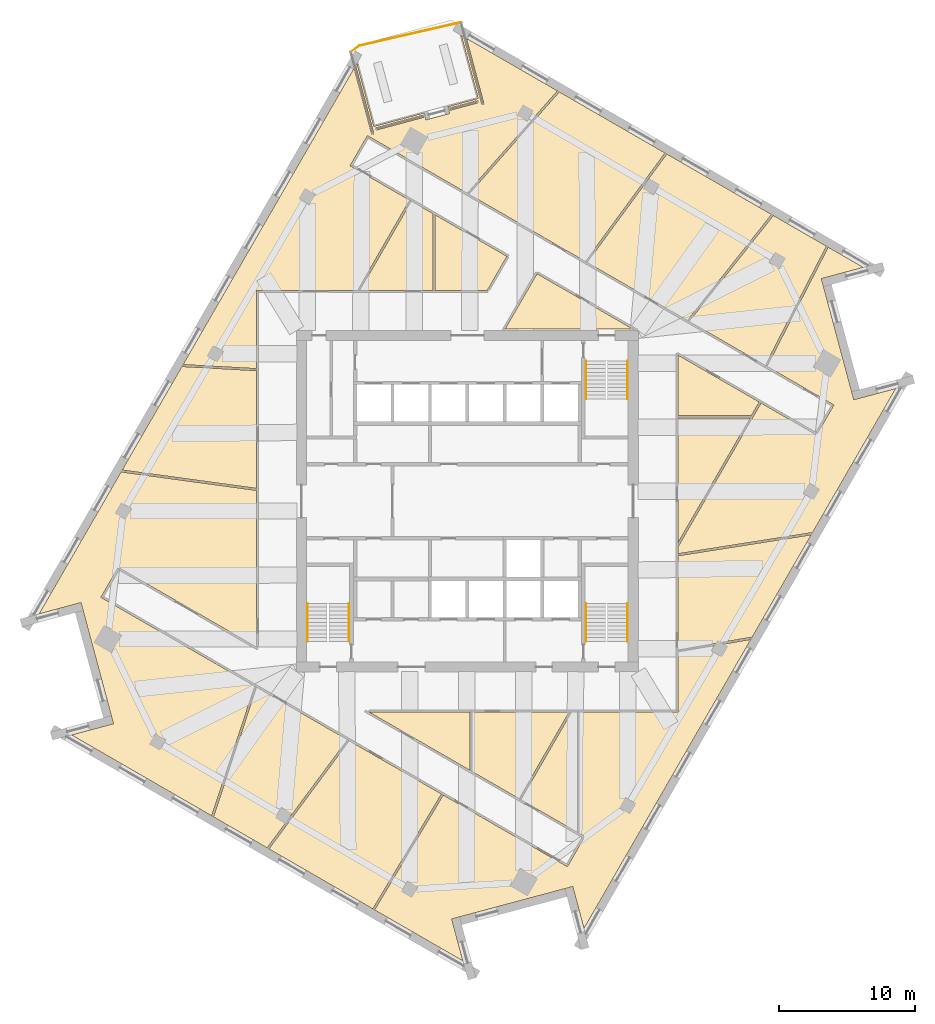
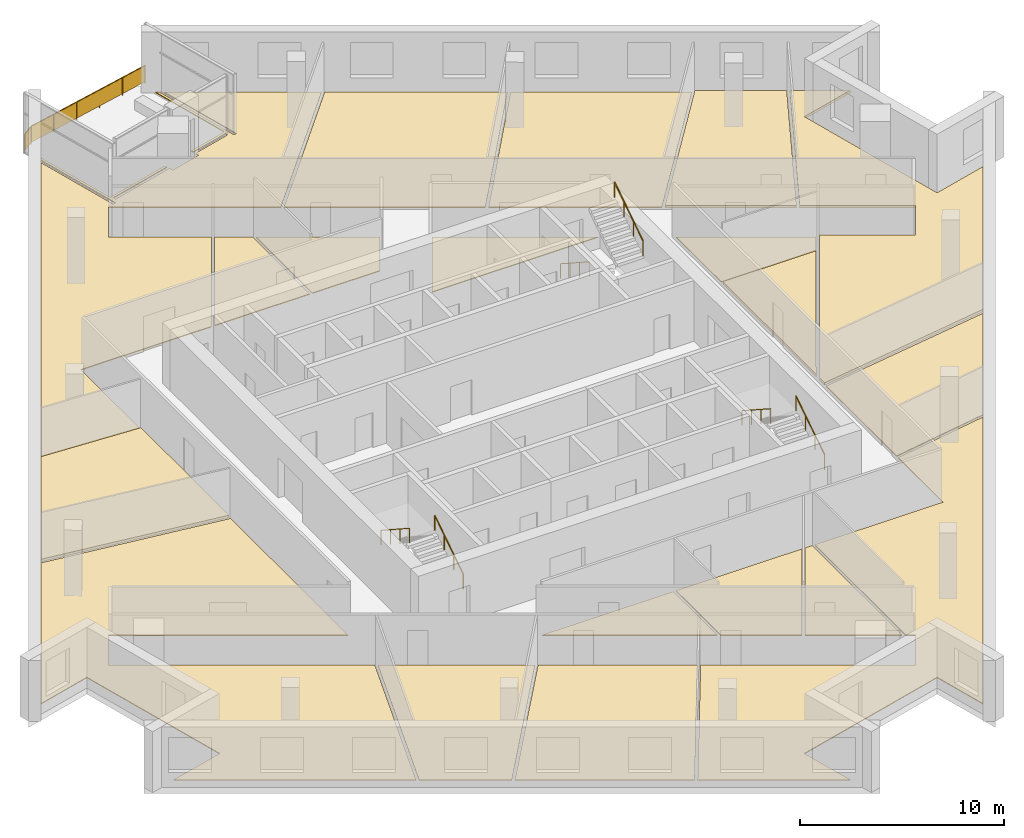
# One storey, part 12 of 13: 19 coverings, 7 railings.
"""IFC4 building model written with IfcOpenShell, lengths in metres."""

from ifc_helpers import new_model, si_unit, direction, frame, origin, origin_2d, place, context, subcontext, project, spatial, polyline, rectangle, circle, outline, extrude, material, layer, layer_set, type_object, element, save


model = new_model("IFC4")

# Units and contexts
model_context = context("Model", 3, precision=1e-05, world=origin(), true_north=direction((0.0, 1.0)))
body_context = subcontext(model_context, "Body", "Model", "MODEL_VIEW")
ifc_project = project(units=[si_unit("LENGTHUNIT", "METRE"), si_unit("AREAUNIT", "SQUARE_METRE"), si_unit("VOLUMEUNIT", "CUBIC_METRE"), si_unit("PLANEANGLEUNIT", "RADIAN"), si_unit("MASSUNIT", "GRAM", prefix="KILO")], contexts=[model_context])

# Site, building, storey
site_placement = place(None, origin())
site = spatial("IfcSite", under=ifc_project, at=site_placement, CompositionType="ELEMENT")
building_placement = place(site_placement, origin())
building = spatial("IfcBuilding", under=site, at=building_placement, Name="Dilmun Exchange Tower", CompositionType="ELEMENT")
storey_placement = place(building_placement, frame((0.0, 0.0, 270.89990234375)))
storey = spatial("IfcBuildingStorey", under=building, at=storey_placement, Name="L64", CompositionType="ELEMENT", Elevation=270.89990234375)

# Coverings
ifc_material_1 = material(Name="Carpet floor finish 50")
ifc_layer_1 = layer(ifc_material_1, 0.050048828125)
ifc_layer_set_1 = layer_set([ifc_layer_1], Name="Carpet floor finish 50")
covering_type_1 = type_object("IfcCoveringType", Name="Carpet floor finish 50", PredefinedType="FLOORING", material=ifc_layer_set_1)
covering_1_placement = place(storey_placement, origin())
element("IfcCovering", 1, at=covering_1_placement, inside=storey, type_object=covering_type_1, Name="Carpet floor finish 50 Supervision hall", PredefinedType="FLOORING", context=body_context, shape_type="SweptSolid", body=[
    extrude(outline(polyline([(-15.47509765625, 0.7880859375), (-15.47509765625, -10.720703125), (-25.63671875, -4.853759765625), (-26.91162109375, -7.062255859375), (-15.615234375, -13.583984375), (-18.777587890625, -23.1044921875), (-29.066162109375, -17.16455078125), (-25.992431640625, -16.3408203125), (-25.9921875, -16.3408203125), (-25.9921875, -16.3408203125), (-25.991943359375, -16.3408203125), (-25.99169921875, -16.340576171875), (-25.99169921875, -16.34033203125), (-25.991455078125, -16.34033203125), (-25.9912109375, -16.340087890625), (-25.9912109375, -16.340087890625), (-25.9912109375, -16.33984375), (-25.9912109375, -16.339599609375), (-25.990966796875, -16.33935546875), (-25.990966796875, -16.339111328125), (-25.990966796875, -16.339111328125), (-25.990966796875, -16.3388671875), (-25.990966796875, -16.338623046875), (-25.990966796875, -16.33837890625), (-26.146240234375, -15.7587890625), (-28.216796875, -8.031982421875), (-28.216796875, -8.031982421875), (-28.216796875, -8.03173828125), (-28.216796875, -8.03173828125), (-28.216796875, -8.031494140625), (-28.3720703125, -7.451904296875), (-28.372314453125, -7.45166015625), (-28.372314453125, -7.451416015625), (-28.372314453125, -7.451416015625), (-28.37255859375, -7.451171875), (-28.37255859375, -7.451171875), (-28.372802734375, -7.450927734375), (-28.372802734375, -7.45068359375), (-28.373046875, -7.45068359375), (-28.373291015625, -7.45068359375), (-28.373291015625, -7.450439453125), (-28.37353515625, -7.450439453125), (-28.373779296875, -7.450439453125), (-28.3740234375, -7.450439453125), (-28.374267578125, -7.450439453125), (-28.37451171875, -7.450439453125), (-28.37451171875, -7.450439453125), (-31.448486328125, -8.274169921875), (-25.431396484375, 2.147216796875), (-15.47509765625, 0.7880859375)])), origin(), (0.0, 0.0, 1.0), 0.050048828125),
])
covering_2_placement = place(storey_placement, origin())
element("IfcCovering", 2, at=covering_2_placement, inside=storey, type_object=covering_type_1, Name="Carpet floor finish 50 Research library 1", PredefinedType="FLOORING", context=body_context, shape_type="SweptSolid", body=[
    extrude(outline(polyline([(-8.67822265625, -17.589111328125), (-1.904052734375, -21.500244140625), (-6.943359375, -29.93701171875), (-14.57421875, -25.531494140625), (-8.67822265625, -17.589111328125)])), origin(), (0.0, 0.0, 1.0), 0.050048828125),
])
covering_3_placement = place(storey_placement, origin())
element("IfcCovering", 3, at=covering_3_placement, inside=storey, type_object=covering_type_1, Name="Carpet floor finish 50 Garden lounge", PredefinedType="FLOORING", context=body_context, shape_type="SweptSolid", body=[
    extrude(outline(polyline([(-0.0283203125, 22.615966796875), (-7.339599609375, 26.837158203125), (-8.61474609375, 24.62890625), (-4.244140625, 22.10546875), (-8.072021484375, 15.47509765625), (-15.47509765625, 15.47509765625), (-15.47509765625, 9.73193359375), (-20.879638671875, 10.031494140625), (-8.32470703125, 31.77734375), (-7.027099609375, 26.935302734375), (-7.027099609375, 26.93505859375), (-7.027099609375, 26.934814453125), (-7.02685546875, 26.9345703125), (-7.02685546875, 26.9345703125), (-7.026611328125, 26.934326171875), (-7.026611328125, 26.93408203125), (-7.0263671875, 26.93408203125), (-7.026123046875, 26.93408203125), (-7.02587890625, 26.933837890625), (-7.02587890625, 26.933837890625), (-7.025634765625, 26.93359375), (-7.025390625, 26.93359375), (-7.025146484375, 26.93359375), (-7.02490234375, 26.93359375), (-7.02490234375, 26.93359375), (-7.024658203125, 26.933837890625), (-6.8701171875, 26.97509765625), (-6.869873046875, 26.97509765625), (-6.86962890625, 26.975341796875), (-6.86962890625, 26.975341796875), (-6.869384765625, 26.9755859375), (-6.869384765625, 26.9755859375), (-6.869140625, 26.975830078125), (-6.868896484375, 26.975830078125), (-6.868896484375, 26.97607421875), (-6.868896484375, 26.976318359375), (-6.86865234375, 26.9765625), (-6.86865234375, 26.976806640625), (-6.86865234375, 26.976806640625), (-6.86865234375, 26.97705078125), (-6.86865234375, 26.977294921875), (-6.86865234375, 26.977294921875), (-6.86865234375, 26.9775390625), (-8.20849609375, 31.978271484375), (-8.107421875, 32.1533203125), (-6.866455078125, 27.521728515625), (-3.184326171875, 28.50830078125), (-3.147216796875, 28.3701171875), (-6.7568359375, 27.403076171875), (-6.757080078125, 27.40283203125), (-6.75732421875, 27.40283203125), (-6.757568359375, 27.40283203125), (-6.757568359375, 27.402587890625), (-6.7578125, 27.402587890625), (-6.7578125, 27.40234375), (-6.758056640625, 27.402099609375), (-6.758056640625, 27.402099609375), (-6.75830078125, 27.40185546875), (-6.75830078125, 27.401611328125), (-6.75830078125, 27.401611328125), (-6.75830078125, 27.4013671875), (-6.75830078125, 27.401123046875), (-6.75830078125, 27.40087890625), (-6.75830078125, 27.400634765625), (-6.75830078125, 27.400634765625), (-6.716796875, 27.24609375), (-6.716796875, 27.245849609375), (-6.716796875, 27.24560546875), (-6.716796875, 27.24560546875), (-6.716552734375, 27.245361328125), (-6.716552734375, 27.2451171875), (-6.71630859375, 27.2451171875), (-6.71630859375, 27.244873046875), (-6.716064453125, 27.244873046875), (-6.7158203125, 27.24462890625), (-6.715576171875, 27.24462890625), (-6.71533203125, 27.24462890625), (-6.71533203125, 27.244384765625), (-6.715087890625, 27.244384765625), (-6.71484375, 27.244384765625), (-6.714599609375, 27.24462890625), (-6.714599609375, 27.24462890625), (-3.104736328125, 28.2119140625), (-3.04833984375, 28.001220703125), (-3.04833984375, 28.0009765625), (-3.048095703125, 28.000732421875), (-3.048095703125, 28.000732421875), (-3.048095703125, 28.00048828125), (-3.0478515625, 28.00048828125), (-3.0478515625, 28.000244140625), (-3.047607421875, 28.0), (-3.047607421875, 28.0), (-3.04736328125, 28.0), (-3.047119140625, 27.999755859375), (-3.046875, 27.999755859375), (-3.046630859375, 27.999755859375), (-3.04638671875, 27.999755859375), (-3.04638671875, 27.999755859375), (-3.046142578125, 27.999755859375), (-3.0458984375, 27.999755859375), (-1.30712890625, 28.4658203125), (-1.306884765625, 28.4658203125), (-1.306884765625, 28.4658203125), (-1.306640625, 28.4658203125), (-1.306396484375, 28.466064453125), (-1.306396484375, 28.46630859375), (-1.30615234375, 28.46630859375), (-1.30615234375, 28.466552734375), (-1.305908203125, 28.466552734375), (-1.305908203125, 28.466796875), (-1.305908203125, 28.467041015625), (-1.305908203125, 28.46728515625), (-1.305908203125, 28.46728515625), (-1.305908203125, 28.467529296875), (-1.305908203125, 28.4677734375), (-1.305908203125, 28.468017578125), (-1.305908203125, 28.468017578125), (-1.3623046875, 28.6787109375), (0.798583984375, 29.2578125), (0.798828125, 29.2578125), (0.799072265625, 29.2578125), (0.79931640625, 29.2578125), (0.79931640625, 29.258056640625), (0.799560546875, 29.25830078125), (0.799560546875, 29.25830078125), (0.7998046875, 29.258544921875), (0.7998046875, 29.258544921875), (0.7998046875, 29.2587890625), (0.800048828125, 29.259033203125), (0.800048828125, 29.25927734375), (0.800048828125, 29.259521484375), (0.800048828125, 29.259521484375), (0.800048828125, 29.259765625), (0.800048828125, 29.260009765625), (0.800048828125, 29.260009765625), (0.758544921875, 29.414794921875), (0.758544921875, 29.414794921875), (0.758544921875, 29.4150390625), (0.75830078125, 29.415283203125), (0.75830078125, 29.415283203125), (0.75830078125, 29.41552734375), (0.758056640625, 29.415771484375), (0.7578125, 29.415771484375), (0.7578125, 29.416015625), (0.757568359375, 29.416015625), (0.75732421875, 29.416015625), (0.757080078125, 29.416015625), (0.757080078125, 29.416259765625), (0.7568359375, 29.416259765625), (0.756591796875, 29.416259765625), (0.75634765625, 29.416015625), (0.756103515625, 29.416015625), (-1.40478515625, 28.837158203125), (-1.441650390625, 28.975341796875), (0.79150390625, 29.57373046875), (-0.449462890625, 34.205322265625), (-0.2744140625, 34.104248046875), (1.065673828125, 29.103515625), (1.065673828125, 29.103515625), (1.065673828125, 29.103271484375), (1.06591796875, 29.10302734375), (1.06591796875, 29.102783203125), (1.066162109375, 29.102783203125), (1.066162109375, 29.1025390625), (1.06640625, 29.1025390625), (1.06640625, 29.102294921875), (1.066650390625, 29.102294921875), (1.06689453125, 29.102294921875), (1.067138671875, 29.10205078125), (1.0673828125, 29.10205078125), (1.0673828125, 29.10205078125), (1.067626953125, 29.10205078125), (1.06787109375, 29.10205078125), (1.068115234375, 29.102294921875), (1.22265625, 29.1435546875), (1.222900390625, 29.1435546875), (1.222900390625, 29.143798828125), (1.22314453125, 29.143798828125), (1.223388671875, 29.143798828125), (1.223388671875, 29.14404296875), (1.2236328125, 29.144287109375), (1.2236328125, 29.144287109375), (1.223876953125, 29.14453125), (1.223876953125, 29.144775390625), (1.22412109375, 29.14501953125), (1.22412109375, 29.14501953125), (1.22412109375, 29.145263671875), (1.22412109375, 29.1455078125), (1.22412109375, 29.1455078125), (1.22412109375, 29.145751953125), (1.22412109375, 29.14599609375), (-0.073486328125, 33.98828125), (6.613525390625, 30.127685546875), (-0.0283203125, 22.615966796875)])), origin(), (0.0, 0.0, 1.0), 0.050048828125),
])
covering_4_placement = place(storey_placement, origin())
element("IfcCovering", 4, at=covering_4_placement, inside=storey, type_object=covering_type_1, Name="Carpet floor finish 50 Meeting room 1", PredefinedType="FLOORING", context=body_context, shape_type="SweptSolid", body=[
    extrude(outline(polyline([(-4.114013671875, 22.030517578125), (-2.516357421875, 21.10791015625), (-2.516357421875, 15.47509765625), (-7.89892578125, 15.47509765625), (-4.114013671875, 22.030517578125)])), origin(), (0.0, 0.0, 1.0), 0.050048828125),
])
covering_5_placement = place(storey_placement, origin())
element("IfcCovering", 5, at=covering_5_placement, inside=storey, type_object=covering_type_1, Name="Carpet floor finish 50 Meeting room 2", PredefinedType="FLOORING", context=body_context, shape_type="SweptSolid", body=[
    extrude(outline(polyline([(0.203125, -15.47509765625), (0.203125, -19.7724609375), (-7.240234375, -15.47509765625), (0.203125, -15.47509765625)])), origin(), (0.0, 0.0, 1.0), 0.050048828125),
])
covering_6_placement = place(storey_placement, origin())
element("IfcCovering", 6, at=covering_6_placement, inside=storey, type_object=covering_type_1, Name="Carpet floor finish 50 Research library 2", PredefinedType="FLOORING", context=body_context, shape_type="SweptSolid", body=[
    extrude(outline(polyline([(-1.77392578125, -21.575439453125), (7.339599609375, -26.837158203125), (8.61474609375, -24.62890625), (8.21044921875, -24.3955078125), (8.21044921875, -15.47509765625), (15.47509765625, -15.47509765625), (15.47509765625, -11.0693359375), (20.81201171875, -10.148681640625), (8.55859375, -31.3720703125), (7.73486328125, -28.29833984375), (7.73486328125, -28.298095703125), (7.73486328125, -28.298095703125), (7.734619140625, -28.2978515625), (7.734619140625, -28.297607421875), (7.734375, -28.297607421875), (7.734375, -28.29736328125), (7.734130859375, -28.29736328125), (7.73388671875, -28.297119140625), (7.73388671875, -28.297119140625), (7.733642578125, -28.297119140625), (7.7333984375, -28.297119140625), (7.733154296875, -28.297119140625), (7.73291015625, -28.297119140625), (7.73291015625, -28.297119140625), (7.732666015625, -28.297119140625), (7.732421875, -28.297119140625), (7.15283203125, -28.452392578125), (-0.574462890625, -30.522705078125), (-0.57470703125, -30.522705078125), (-0.57470703125, -30.52294921875), (-0.57470703125, -30.52294921875), (-1.154052734375, -30.677978515625), (-1.154296875, -30.67822265625), (-1.154296875, -30.67822265625), (-1.154541015625, -30.67822265625), (-1.15478515625, -30.678466796875), (-1.15478515625, -30.6787109375), (-1.155029296875, -30.6787109375), (-1.155029296875, -30.678955078125), (-1.1552734375, -30.678955078125), (-1.1552734375, -30.67919921875), (-1.155517578125, -30.679443359375), (-1.155517578125, -30.6796875), (-1.155517578125, -30.6796875), (-1.155517578125, -30.679931640625), (-1.155517578125, -30.68017578125), (-1.155517578125, -30.680419921875), (-1.155517578125, -30.6806640625), (-0.331787109375, -33.75439453125), (-6.8134765625, -30.01220703125), (-1.77392578125, -21.575439453125)])), origin(), (0.0, 0.0, 1.0), 0.050048828125),
])
covering_7_placement = place(storey_placement, origin())
element("IfcCovering", 7, at=covering_7_placement, inside=storey, type_object=covering_type_1, Name="Carpet floor finish 50 Research library 3", PredefinedType="FLOORING", context=body_context, shape_type="SweptSolid", body=[
    extrude(outline(polyline([(0.104248046875, 22.53955078125), (6.74609375, 30.051025390625), (14.50927734375, 25.569091796875), (8.65966796875, 17.599853515625), (0.104248046875, 22.53955078125)])), origin(), (0.0, 0.0, 1.0), 0.050048828125),
])
covering_8_placement = place(storey_placement, origin())
element("IfcCovering", 8, at=covering_8_placement, inside=storey, type_object=covering_type_1, Name="Carpet floor finish 50 Regulator office", PredefinedType="FLOORING", context=body_context, shape_type="SweptSolid", body=[
    extrude(outline(polyline([(16.15283203125, 13.273681640625), (8.790283203125, 17.5244140625), (14.639892578125, 25.49365234375), (22.335693359375, 21.050537109375), (16.15283203125, 13.273681640625)])), origin(), (0.0, 0.0, 1.0), 0.050048828125),
])
covering_9_placement = place(storey_placement, origin())
element("IfcCovering", 9, at=covering_9_placement, inside=storey, type_object=covering_type_1, Name="Carpet floor finish 50 Training room", PredefinedType="FLOORING", context=body_context, shape_type="SweptSolid", body=[
    extrude(outline(polyline([(15.47509765625, -10.9169921875), (15.47509765625, -4.0087890625), (25.245361328125, -2.469970703125), (20.90966796875, -9.9794921875), (15.47509765625, -10.9169921875)])), origin(), (0.0, 0.0, 1.0), 0.050048828125),
])
ifc_material_2 = material(Name="Raised access floor 150")
ifc_layer_2 = layer(ifc_material_2, 0.14990234375)
ifc_layer_set_2 = layer_set([ifc_layer_2], Name="Raised access floor 150")
covering_type_2 = type_object("IfcCoveringType", Name="Raised access floor 150", PredefinedType="FLOORING", material=ifc_layer_set_2)
covering_10_placement = place(storey_placement, origin())
element("IfcCovering", 10, at=covering_10_placement, inside=storey, type_object=covering_type_2, Name="Raised access floor 150 Analytics room 1", PredefinedType="FLOORING", context=body_context, shape_type="SweptSolid", body=[
    extrude(outline(polyline([(-15.47509765625, 9.581787109375), (-15.47509765625, 0.939453125), (-25.3505859375, 2.28759765625), (-20.963623046875, 9.885986328125), (-15.47509765625, 9.581787109375)])), origin(), (0.0, 0.0, 1.0), 0.150146484375),
])
covering_11_placement = place(storey_placement, origin())
element("IfcCovering", 11, at=covering_11_placement, inside=storey, type_object=covering_type_2, Name="Raised access floor 150 Data room", PredefinedType="FLOORING", context=body_context, shape_type="SweptSolid", body=[
    extrude(outline(polyline([(20.762451171875, 6.125244140625), (15.47509765625, -3.032958984375), (15.47509765625, 6.125244140625), (20.762451171875, 6.125244140625)])), origin(), (0.0, 0.0, 1.0), 0.150146484375),
])
covering_12_placement = place(storey_placement, origin())
element("IfcCovering", 12, at=covering_12_placement, inside=storey, type_object=covering_type_2, Name="Raised access floor 150 Analytics room 2", PredefinedType="FLOORING", context=body_context, shape_type="SweptSolid", body=[
    extrude(outline(polyline([(21.869873046875, 9.972900390625), (16.2841796875, 13.197998046875), (22.466796875, 20.974609375), (26.36181640625, 18.725830078125), (21.869873046875, 9.972900390625)])), origin(), (0.0, 0.0, 1.0), 0.150146484375),
])
covering_13_placement = place(storey_placement, origin())
element("IfcCovering", 13, at=covering_13_placement, inside=storey, type_object=covering_type_2, Name="Raised access floor 150 Analytics room 3", PredefinedType="FLOORING", context=body_context, shape_type="SweptSolid", body=[
    extrude(outline(polyline([(25.63671875, 4.853759765625), (26.91162109375, 7.062255859375), (22.0, 9.89794921875), (26.491943359375, 18.65087890625), (29.066162109375, 17.16455078125), (25.992431640625, 16.3408203125), (25.9921875, 16.3408203125), (25.9921875, 16.3408203125), (25.991943359375, 16.3408203125), (25.99169921875, 16.340576171875), (25.99169921875, 16.34033203125), (25.991455078125, 16.34033203125), (25.9912109375, 16.340087890625), (25.9912109375, 16.340087890625), (25.9912109375, 16.33984375), (25.9912109375, 16.339599609375), (25.990966796875, 16.33935546875), (25.990966796875, 16.339111328125), (25.990966796875, 16.339111328125), (25.990966796875, 16.3388671875), (25.990966796875, 16.338623046875), (25.990966796875, 16.33837890625), (26.146240234375, 15.7587890625), (28.216796875, 8.031982421875), (28.216796875, 8.031982421875), (28.216796875, 8.03173828125), (28.216796875, 8.03173828125), (28.216796875, 8.031494140625), (28.3720703125, 7.451904296875), (28.372314453125, 7.45166015625), (28.372314453125, 7.451416015625), (28.372314453125, 7.451416015625), (28.37255859375, 7.451171875), (28.37255859375, 7.451171875), (28.372802734375, 7.450927734375), (28.372802734375, 7.45068359375), (28.373046875, 7.45068359375), (28.373291015625, 7.45068359375), (28.373291015625, 7.450439453125), (28.37353515625, 7.450439453125), (28.373779296875, 7.450439453125), (28.3740234375, 7.450439453125), (28.374267578125, 7.450439453125), (28.37451171875, 7.450439453125), (28.37451171875, 7.450439453125), (31.448486328125, 8.274169921875), (25.341796875, -2.302978515625), (15.47509765625, -3.856689453125), (15.47509765625, -3.3330078125), (21.560302734375, 7.207275390625), (25.63671875, 4.853759765625)])), origin(), (0.0, 0.0, 1.0), 0.150146484375),
])

# Railings
ifc_material_3 = material(Name="Stainless steel", Category="steel")
railing_type_1 = type_object("IfcRailingType", Name="Stair handrail 900", PredefinedType="HANDRAIL", material=ifc_material_3)
railing_1_placement = place(storey_placement, frame((8.699951171875, 10.300048828125, 0.181884765625)))
element("IfcRailing", 14, at=railing_1_placement, inside=storey, type_object=railing_type_1, Name="L64 ST1 stair handrail 1", PredefinedType="HANDRAIL", context=body_context, shape_type="SweptSolid", body=[
    extrude(circle(Radius=0.02392578125, at=origin_2d()), frame((0.0, 0.0, 0.8759765625), z_axis=(0.0, -0.838705829183, 0.544584733623), x_axis=(1.0, 0.0, 0.0)), (0.0, 0.0, 1.0), 3.338623046875),
    extrude(circle(Radius=0.02099609375, at=origin_2d()), origin(), (0.0, 0.0, 1.0), 0.851806640625),
    extrude(circle(Radius=0.02099609375, at=origin_2d()), frame((0.0, -0.933349609375, 0.60595703125)), (0.0, 0.0, 1.0), 0.851806640625),
    extrude(circle(Radius=0.02099609375, at=origin_2d()), frame((0.0, -1.86669921875, 1.212158203125)), (0.0, 0.0, 1.0), 0.851806640625),
    extrude(circle(Radius=0.02099609375, at=origin_2d()), frame((0.0, -2.800048828125, 1.818115234375)), (0.0, 0.0, 1.0), 0.851806640625),
])
for number, where, name in (
    (15, (11.75, 7.5, 2.181884765625), "L64 ST1 stair handrail 2"),
    (16, (-8.699951171875, -10.300048828125, 0.181884765625), "L64 ST2 stair handrail 1"),
):
    element("IfcRailing", number, at=place(storey_placement, frame(where)), inside=storey, type_object=railing_type_1, Name=name, PredefinedType="HANDRAIL", context=body_context, shape_type="SweptSolid", body=[
        extrude(circle(Radius=0.02392578125, at=origin_2d()), frame((0.0, 0.0, 0.8759765625), z_axis=(0.0, 0.838705829183, 0.544584733623), x_axis=(-1.0, 0.0, 0.0)), (0.0, 0.0, 1.0), 3.338623046875),
        extrude(circle(Radius=0.02099609375, at=origin_2d()), origin(), (0.0, 0.0, 1.0), 0.851806640625),
        extrude(circle(Radius=0.02099609375, at=origin_2d()), frame((0.0, 0.933349609375, 0.60595703125)), (0.0, 0.0, 1.0), 0.851806640625),
        extrude(circle(Radius=0.02099609375, at=origin_2d()), frame((0.0, 1.86669921875, 1.212158203125)), (0.0, 0.0, 1.0), 0.851806640625),
        extrude(circle(Radius=0.02099609375, at=origin_2d()), frame((0.0, 2.800048828125, 1.818115234375)), (0.0, 0.0, 1.0), 0.851806640625),
    ])
railing_2_placement = place(storey_placement, frame((-11.75, -7.5, 2.181884765625)))
element("IfcRailing", 17, at=railing_2_placement, inside=storey, type_object=railing_type_1, Name="L64 ST2 stair handrail 2", PredefinedType="HANDRAIL", context=body_context, shape_type="SweptSolid", body=[
    extrude(circle(Radius=0.02392578125, at=origin_2d()), frame((0.0, 0.0, 0.8759765625), z_axis=(0.0, -0.838705829183, 0.544584733623), x_axis=(1.0, 0.0, 0.0)), (0.0, 0.0, 1.0), 3.338623046875),
    extrude(circle(Radius=0.02099609375, at=origin_2d()), origin(), (0.0, 0.0, 1.0), 0.851806640625),
    extrude(circle(Radius=0.02099609375, at=origin_2d()), frame((0.0, -0.933349609375, 0.60595703125)), (0.0, 0.0, 1.0), 0.851806640625),
    extrude(circle(Radius=0.02099609375, at=origin_2d()), frame((0.0, -1.86669921875, 1.212158203125)), (0.0, 0.0, 1.0), 0.851806640625),
    extrude(circle(Radius=0.02099609375, at=origin_2d()), frame((0.0, -2.800048828125, 1.818115234375)), (0.0, 0.0, 1.0), 0.851806640625),
])
railing_3_placement = place(storey_placement, frame((11.75, -10.300048828125, 0.181884765625)))
element("IfcRailing", 18, at=railing_3_placement, inside=storey, type_object=railing_type_1, Name="L64 ST3 stair handrail 1", PredefinedType="HANDRAIL", context=body_context, shape_type="SweptSolid", body=[
    extrude(circle(Radius=0.02392578125, at=origin_2d()), frame((0.0, 0.0, 0.8759765625), z_axis=(0.0, 0.838705829183, 0.544584733623), x_axis=(-1.0, 0.0, 0.0)), (0.0, 0.0, 1.0), 3.338623046875),
    extrude(circle(Radius=0.02099609375, at=origin_2d()), origin(), (0.0, 0.0, 1.0), 0.851806640625),
    extrude(circle(Radius=0.02099609375, at=origin_2d()), frame((0.0, 0.933349609375, 0.60595703125)), (0.0, 0.0, 1.0), 0.851806640625),
    extrude(circle(Radius=0.02099609375, at=origin_2d()), frame((0.0, 1.86669921875, 1.212158203125)), (0.0, 0.0, 1.0), 0.851806640625),
    extrude(circle(Radius=0.02099609375, at=origin_2d()), frame((0.0, 2.800048828125, 1.818115234375)), (0.0, 0.0, 1.0), 0.851806640625),
])
railing_4_placement = place(storey_placement, frame((8.699951171875, -7.5, 2.181884765625)))
element("IfcRailing", 19, at=railing_4_placement, inside=storey, type_object=railing_type_1, Name="L64 ST3 stair handrail 2", PredefinedType="HANDRAIL", context=body_context, shape_type="SweptSolid", body=[
    extrude(circle(Radius=0.02392578125, at=origin_2d()), frame((0.0, 0.0, 0.8759765625), z_axis=(0.0, -0.838705829183, 0.544584733623), x_axis=(1.0, 0.0, 0.0)), (0.0, 0.0, 1.0), 3.338623046875),
    extrude(circle(Radius=0.02099609375, at=origin_2d()), origin(), (0.0, 0.0, 1.0), 0.851806640625),
    extrude(circle(Radius=0.02099609375, at=origin_2d()), frame((0.0, -0.933349609375, 0.60595703125)), (0.0, 0.0, 1.0), 0.851806640625),
    extrude(circle(Radius=0.02099609375, at=origin_2d()), frame((0.0, -1.86669921875, 1.212158203125)), (0.0, 0.0, 1.0), 0.851806640625),
    extrude(circle(Radius=0.02099609375, at=origin_2d()), frame((0.0, -2.800048828125, 1.818115234375)), (0.0, 0.0, 1.0), 0.851806640625),
])

# Coverings
ifc_material_4 = material(Name="Stone floor finish 50", Category="masonry")
ifc_layer_3 = layer(ifc_material_4, 0.050048828125)
ifc_layer_set_3 = layer_set([ifc_layer_3], Name="Stone floor finish 50")
covering_type_3 = type_object("IfcCoveringType", Name="Stone floor finish 50", PredefinedType="FLOORING", material=ifc_layer_set_3)
covering_14_placement = place(storey_placement, origin())
element("IfcCovering", 20, at=covering_14_placement, inside=storey, type_object=covering_type_3, Name="Stone floor finish 50 Reception 1", PredefinedType="FLOORING", context=body_context, shape_type="SweptSolid", body=[
    extrude(outline(polyline([(-15.482666015625, -13.66064453125), (-8.80908203125, -17.513671875), (-14.705078125, -25.4560546875), (-18.64501953125, -23.18115234375), (-15.482666015625, -13.66064453125)])), origin(), (0.0, 0.0, 1.0), 0.050048828125),
])
covering_15_placement = place(storey_placement, origin())
element("IfcCovering", 21, at=covering_15_placement, inside=storey, type_object=covering_type_3, Name="Stone floor finish 50 Reception 2", PredefinedType="FLOORING", context=body_context, shape_type="SweptSolid", body=[
    extrude(outline(polyline([(-2.366455078125, 21.021240234375), (2.903564453125, 17.978759765625), (1.4580078125, 15.47509765625), (-2.366455078125, 15.47509765625), (-2.366455078125, 21.021240234375)])), origin(), (0.0, 0.0, 1.0), 0.050048828125),
])
covering_16_placement = place(storey_placement, origin())
element("IfcCovering", 22, at=covering_16_placement, inside=storey, type_object=covering_type_3, Name="Stone floor finish 50 Reception 3", PredefinedType="FLOORING", context=body_context, shape_type="SweptSolid", body=[
    extrude(outline(polyline([(8.060546875, -15.47509765625), (8.060546875, -24.308837890625), (3.927490234375, -21.922607421875), (7.64990234375, -15.47509765625), (8.060546875, -15.47509765625)])), origin(), (0.0, 0.0, 1.0), 0.050048828125),
])

# Railing
railing_type_2 = type_object("IfcRailingType", Name="Terrace guard 1100 stainless steel", PredefinedType="GUARDRAIL", material=ifc_material_3)
railing_5_placement = place(storey_placement, frame((-8.564697265625, 32.989990234375, 0.0)))
element("IfcRailing", 23, at=railing_5_placement, inside=storey, type_object=railing_type_2, Name="Terrace guard 1", PredefinedType="GUARDRAIL", context=body_context, shape_type="SweptSolid", body=[
    extrude(circle(Radius=0.02392578125, at=origin_2d()), frame((0.0, 0.0, 1.076171875), z_axis=(0.815970116791, 0.578094082744, 0.0), x_axis=(-0.578094082744, 0.815970116791, 0.0)), (0.0, 0.0, 1.0), 0.79443359375),
    extrude(rectangle(XDim=0.011962890625, YDim=0.951904296875, at=origin_2d()), frame((0.0, 0.0, 0.576171875), z_axis=(0.815970116791, 0.578094082744, 0.0), x_axis=(-0.578094082744, 0.815970116791, 0.0)), (0.0, 0.0, 1.0), 0.79443359375),
    extrude(circle(Radius=0.02392578125, at=origin_2d()), frame((0.648193359375, 0.459228515625, 1.076171875), z_axis=(0.974641622143, 0.223771554016, 0.0), x_axis=(-0.223771554016, 0.974641622143, 0.0)), (0.0, 0.0, 1.0), 7.63818359375),
    extrude(rectangle(XDim=0.011962890625, YDim=0.951904296875, at=origin_2d()), frame((0.648193359375, 0.459228515625, 0.576171875), z_axis=(0.974641622143, 0.223771554016, 0.0), x_axis=(-0.223771554016, 0.974641622143, 0.0)), (0.0, 0.0, 1.0), 7.63818359375),
    extrude(circle(Radius=0.02099609375, at=origin_2d()), origin(), (0.0, 0.0, 1.0), 1.052001953125),
    extrude(circle(Radius=0.02099609375, at=origin_2d()), frame((0.648193359375, 0.459228515625, 0.0)), (0.0, 0.0, 1.0), 1.052001953125),
    extrude(circle(Radius=0.02099609375, at=origin_2d()), frame((2.13720703125, 0.801025390625, 0.0)), (0.0, 0.0, 1.0), 1.052001953125),
    extrude(circle(Radius=0.02099609375, at=origin_2d()), frame((3.6259765625, 1.142822265625, 0.0)), (0.0, 0.0, 1.0), 1.052001953125),
    extrude(circle(Radius=0.02099609375, at=origin_2d()), frame((5.114990234375, 1.48486328125, 0.0)), (0.0, 0.0, 1.0), 1.052001953125),
    extrude(circle(Radius=0.02099609375, at=origin_2d()), frame((6.603759765625, 1.82666015625, 0.0)), (0.0, 0.0, 1.0), 1.052001953125),
    extrude(circle(Radius=0.02099609375, at=origin_2d()), frame((8.0927734375, 2.16845703125, 0.0)), (0.0, 0.0, 1.0), 1.052001953125),
])

# Coverings
ifc_material_5 = material(Name="Tile floor finish 50")
ifc_layer_4 = layer(ifc_material_5, 0.050048828125)
ifc_layer_set_4 = layer_set([ifc_layer_4], Name="Tile floor finish 50")
covering_type_4 = type_object("IfcCoveringType", Name="Tile floor finish 50", PredefinedType="FLOORING", material=ifc_layer_set_4)
covering_17_placement = place(storey_placement, origin())
element("IfcCovering", 24, at=covering_17_placement, inside=storey, type_object=covering_type_4, Name="Tile floor finish 50 Pantry 1", PredefinedType="FLOORING", context=body_context, shape_type="SweptSolid", body=[
    extrude(outline(polyline([(0.353271484375, -15.47509765625), (7.476806640625, -15.47509765625), (3.797607421875, -21.84765625), (0.353271484375, -19.85888671875), (0.353271484375, -15.47509765625)])), origin(), (0.0, 0.0, 1.0), 0.050048828125),
])
covering_18_placement = place(storey_placement, origin())
element("IfcCovering", 25, at=covering_18_placement, inside=storey, type_object=covering_type_4, Name="Tile floor finish 50 Pantry 2", PredefinedType="FLOORING", context=body_context, shape_type="SweptSolid", body=[
    extrude(outline(polyline([(12.176513671875, 12.625), (2.757080078125, 12.625), (5.112060546875, 16.70361328125), (12.176513671875, 12.625)])), origin(), (0.0, 0.0, 1.0), 0.050048828125),
])
covering_19_placement = place(storey_placement, origin())
element("IfcCovering", 26, at=covering_19_placement, inside=storey, type_object=covering_type_4, Name="Tile floor finish 50 Pantry 3", PredefinedType="FLOORING", context=body_context, shape_type="SweptSolid", body=[
    extrude(outline(polyline([(21.430419921875, 7.2822265625), (20.84912109375, 6.275146484375), (15.47509765625, 6.275146484375), (15.47509765625, 10.720703125), (21.430419921875, 7.2822265625)])), origin(), (0.0, 0.0, 1.0), 0.050048828125),
])

save(model, "model.ifc")
